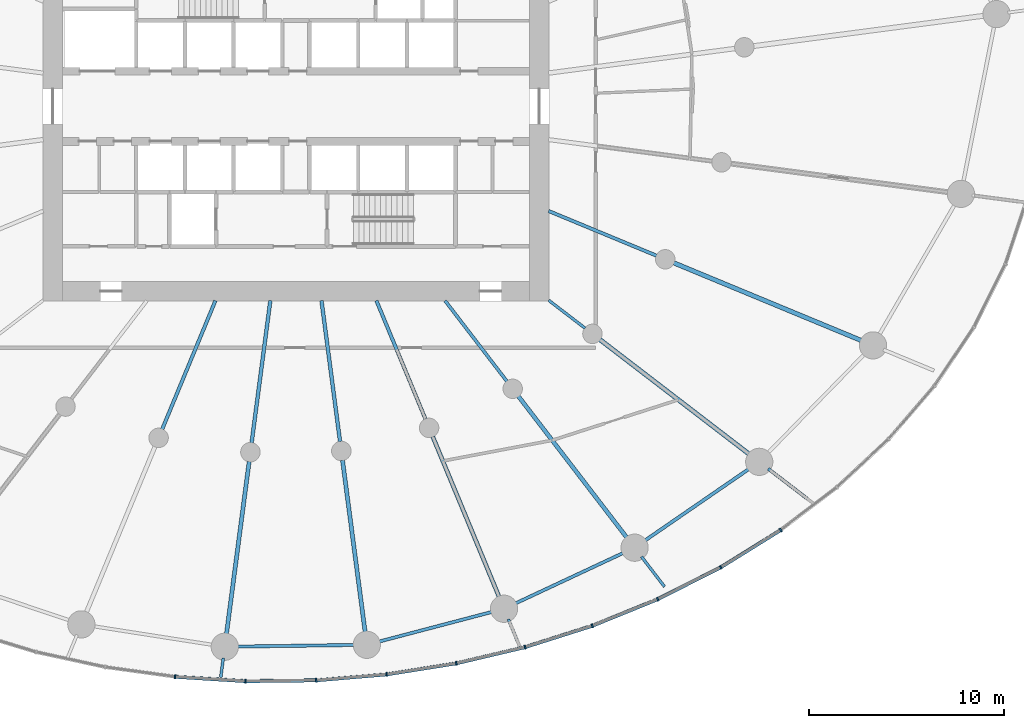
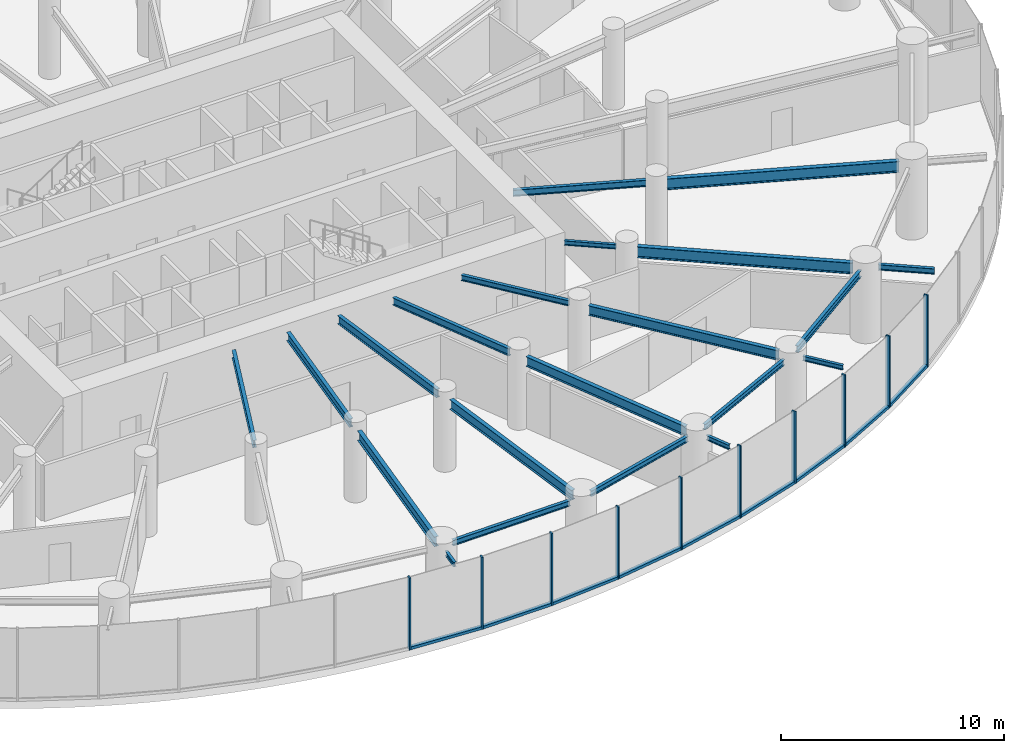
# One storey, part 4 of 19: 21 beams, 19 members, 2 elements without a shape of their own.
"""IFC4 building model written with IfcOpenShell, lengths in metres."""

import ifcopenshell
import ifcopenshell.guid

model = None  # the IFC model being written
_history = None  # IfcOwnerHistory: only IFC2X3 demands one
_inside = {}  # id of a spatial element -> (the spatial element, [elements in it])
_under = {}  # id of a project, library or spatial element -> (it, [spatial elements below it])
_declared = {}  # id of a project -> (the project, [libraries it declares])
_typed = {}  # id of a type object -> (the type object, [elements of that type])
_made_of = {}  # id of a material, layer set ... -> (it, [elements and type objects made of it])


def new_model(schema):
    """Start an empty IFC model of exactly this schema.

    Asked for "IFC4X3", IfcOpenShell would pick the latest addendum, in which some entities
    have other attributes; the version numbers below select the first issue.
    IFC2X3 requires an IfcOwnerHistory on every rooted entity: one is made here for all.
    """
    global model, _history
    if schema == "IFC4X3":
        model = ifcopenshell.file(schema_version=(4, 3, 0, 0))
    else:
        model = ifcopenshell.file(schema=schema)
    _inside.clear()
    _under.clear()
    _declared.clear()
    _typed.clear()
    _made_of.clear()
    _history = None
    if model.schema == "IFC2X3":
        org = make("IfcOrganization", Name="unknown")
        user = make(
            "IfcPersonAndOrganization",
            ThePerson=make("IfcPerson", FamilyName="unknown"),
            TheOrganization=org,
        )
        app = make(
            "IfcApplication",
            ApplicationDeveloper=org,
            Version="unknown",
            ApplicationFullName="unknown",
            ApplicationIdentifier="unknown",
        )
        _history = make(
            "IfcOwnerHistory",
            OwningUser=user,
            OwningApplication=app,
            ChangeAction="ADDED",
            CreationDate=0,
        )
    return model


def make(cls, **values):
    """One entity of the class cls with the attributes given. An attribute that is None is left unset."""
    return model.create_entity(
        cls, **{name: value for name, value in values.items() if value is not None}
    )


def rooted(cls, **values):
    """An entity with a GlobalId (a new one), such as an element, a storey or a relation."""
    return make(cls, GlobalId=ifcopenshell.guid.new(), OwnerHistory=_history, **values)


def si_unit(unit_type, name, prefix=None):
    """IfcSIUnit, for example si_unit("LENGTHUNIT", "METRE", prefix="MILLI")."""
    return make("IfcSIUnit", UnitType=unit_type, Prefix=prefix, Name=name)


def assignment(units):
    """IfcUnitAssignment: the units of a project."""
    return None if units is None else make("IfcUnitAssignment", Units=units)


def point(xyz):
    """IfcCartesianPoint."""
    return None if xyz is None else make("IfcCartesianPoint", Coordinates=xyz)


def direction(xyz):
    """IfcDirection."""
    return None if xyz is None else make("IfcDirection", DirectionRatios=xyz)


def frame(location, z_axis=None, x_axis=None):
    """IfcAxis2Placement3D, a coordinate frame: its origin and axes. An axis left out is left unset."""
    return make(
        "IfcAxis2Placement3D",
        Location=point(location),
        Axis=direction(z_axis),
        RefDirection=direction(x_axis),
    )


def frame_2d(location, x_axis=None):
    """IfcAxis2Placement2D, a coordinate frame in the plane: its origin and x axis."""
    return make(
        "IfcAxis2Placement2D", Location=point(location), RefDirection=direction(x_axis)
    )


def origin():
    """The frame at (0, 0, 0) with its axes left unset."""
    return frame((0.0, 0.0, 0.0))


def origin_2d():
    """The frame at (0, 0) in the plane with its x axis left unset."""
    return frame_2d((0.0, 0.0))


def place(relative_to, where):
    """IfcLocalPlacement: puts the frame where relative to a parent placement (None: the world)."""
    return make(
        "IfcLocalPlacement", PlacementRelTo=relative_to, RelativePlacement=where
    )


def context(
    kind, dimensions, precision=None, world=None, true_north=None, identifier=None
):
    """IfcGeometricRepresentationContext, for example the 3D "Model" context."""
    return make(
        "IfcGeometricRepresentationContext",
        ContextIdentifier=identifier,
        ContextType=kind,
        CoordinateSpaceDimension=dimensions,
        Precision=precision,
        WorldCoordinateSystem=world,
        TrueNorth=true_north,
    )


def subcontext(parent, identifier, kind, view, scale=None):
    """IfcGeometricRepresentationSubContext, for example "Body" below "Model"."""
    return make(
        "IfcGeometricRepresentationSubContext",
        ContextIdentifier=identifier,
        ContextType=kind,
        ParentContext=parent,
        TargetScale=scale,
        TargetView=view,
    )


def project(units=None, contexts=None):
    """IfcProject with its units and contexts."""
    return rooted(
        "IfcProject",
        Name="project",
        RepresentationContexts=contexts,
        UnitsInContext=assignment(units),
    )


def spatial(cls, under=None, at=None, **own):
    """A site, building, storey or space (cls), placed at a placement, below another one or the project."""
    s = rooted(cls, ObjectPlacement=at, **own)
    if under is not None:
        _under.setdefault(under.id(), (under, []))[1].append(s)
    return s


def profile(cls, at=None, kind="AREA", **sizes):
    """A parametric profile (cls). Its sizes go by their IFC names, for example OverallWidth=200.0."""
    return make(cls, ProfileType=kind, Position=at, **sizes)


def rectangle(**sizes):
    """IfcRectangleProfileDef."""
    return profile("IfcRectangleProfileDef", **sizes)


def i_section(**sizes):
    """IfcIShapeProfileDef."""
    return profile("IfcIShapeProfileDef", **sizes)


def extrude(swept, where, along, depth):
    """IfcExtrudedAreaSolid: the profile swept, set in the frame where, extruded along a direction by depth."""
    return make(
        "IfcExtrudedAreaSolid",
        SweptArea=swept,
        Position=where,
        ExtrudedDirection=direction(along),
        Depth=depth,
    )


def shape(context_of_items, identifier, shape_type, items):
    """IfcShapeRepresentation: the items that make up one representation, for example the "Body"."""
    return make(
        "IfcShapeRepresentation",
        ContextOfItems=context_of_items,
        RepresentationIdentifier=identifier,
        RepresentationType=shape_type,
        Items=items,
    )


def source(mapping_origin, context_of_items, identifier, shape_type, items):
    """IfcRepresentationMap: a shape defined once, which mapped items show again and again."""
    return make(
        "IfcRepresentationMap",
        MappingOrigin=mapping_origin,
        MappedRepresentation=shape(context_of_items, identifier, shape_type, items),
    )


def transform(
    local_origin,
    x_axis=None,
    y_axis=None,
    z_axis=None,
    scale=None,
    scale2=None,
    scale3=None,
    uniform=True,
):
    """IfcCartesianTransformationOperator3D, or its non-uniform kind. x_axis, y_axis, z_axis: its Axis1, 2, 3."""
    if uniform:
        return make(
            "IfcCartesianTransformationOperator3D",
            Axis1=direction(x_axis),
            Axis2=direction(y_axis),
            LocalOrigin=point(local_origin),
            Scale=scale,
            Axis3=direction(z_axis),
        )
    return make(
        "IfcCartesianTransformationOperator3DnonUniform",
        Axis1=direction(x_axis),
        Axis2=direction(y_axis),
        LocalOrigin=point(local_origin),
        Scale=scale,
        Axis3=direction(z_axis),
        Scale2=scale2,
        Scale3=scale3,
    )


def mapped(mapping_source, mapping_target):
    """IfcMappedItem: shows the shape of a source again, moved by a transform."""
    return make(
        "IfcMappedItem", MappingSource=mapping_source, MappingTarget=mapping_target
    )


def material(Name=None, Category=None):
    """IfcMaterial."""
    return make("IfcMaterial", Name=Name, Category=Category)


def layer(
    of_material, thickness, ventilated=None, Name=None, Category=None, Priority=None
):
    """IfcMaterialLayer: one layer of a wall or slab, of a material (None: an air gap)."""
    return make(
        "IfcMaterialLayer",
        Material=of_material,
        LayerThickness=thickness,
        IsVentilated=ventilated,
        Name=Name,
        Category=Category,
        Priority=Priority,
    )


def layer_set(layers, Name=None):
    """IfcMaterialLayerSet."""
    return make("IfcMaterialLayerSet", MaterialLayers=layers, LayerSetName=Name)


def material_profile(
    of_material, cross_section, Name=None, Category=None, Priority=None
):
    """IfcMaterialProfile: a cross section and its material."""
    return make(
        "IfcMaterialProfile",
        Name=Name,
        Material=of_material,
        Profile=cross_section,
        Priority=Priority,
        Category=Category,
    )


def profile_set(profiles, Name=None, composite=None):
    """IfcMaterialProfileSet."""
    return make(
        "IfcMaterialProfileSet",
        Name=Name,
        MaterialProfiles=profiles,
        CompositeProfile=composite,
    )


def made_of(thing, what):
    """Note that an element or type object is made of a material, layer set ...; save() writes the relation."""
    if what is not None:
        _made_of.setdefault(what.id(), (what, []))[1].append(thing)
    return thing


def type_object(cls, material=None, **own):
    """A type object (cls), such as IfcWallType, which elements share."""
    return made_of(rooted(cls, **own), material)


def element(
    cls,
    number,
    at=None,
    inside=None,
    cuts=None,
    type_object=None,
    material=None,
    context=None,
    identifier="Body",
    shape_type=None,
    held_by="IfcProductDefinitionShape",
    body=None,
    shapes=None,
    **own,
):
    """One element of the class cls, such as IfcWall. Its Tag is "e" and its number.

    at: its placement. inside: the storey or other place that contains it. cuts: it is an
    opening in that element (IfcRelVoidsElement). A single representation is given by context,
    identifier, shape_type and body (its items); several are given by shapes. held_by: the class
    of the entity that holds the representations. save() writes the other relations.
    """
    e = rooted(cls, Tag="e%d" % number, ObjectPlacement=at, **own)
    if body is not None:
        shapes = [shape(context, identifier, shape_type, body)]
    if shapes is not None:
        e.Representation = make(held_by, Representations=shapes)
    if inside is not None:
        _inside.setdefault(inside.id(), (inside, []))[1].append(e)
    if cuts is not None:
        rooted(
            "IfcRelVoidsElement", RelatingBuildingElement=cuts, RelatedOpeningElement=e
        )
    if type_object is not None:
        _typed.setdefault(type_object.id(), (type_object, []))[1].append(e)
    return made_of(e, material)


def aggregate(whole, parts):
    """IfcRelAggregates: a whole, such as a stair, and the parts it consists of."""
    return rooted("IfcRelAggregates", RelatingObject=whole, RelatedObjects=parts)


def save(model, path):
    """Write the relations noted so far, then the file.

    IfcRelAggregates (storeys below a building ...), IfcRelContainedInSpatialStructure (elements
    in a storey), IfcRelDefinesByType, IfcRelAssociatesMaterial and IfcRelDeclares: one each for
    every whole, place, type object, material and project.
    """
    for whole, parts in _under.values():
        aggregate(whole, parts)
    for where, things in _inside.values():
        rooted(
            "IfcRelContainedInSpatialStructure",
            RelatedElements=things,
            RelatingStructure=where,
        )
    for kind, things in _typed.values():
        rooted("IfcRelDefinesByType", RelatedObjects=things, RelatingType=kind)
    for what, things in _made_of.values():
        rooted("IfcRelAssociatesMaterial", RelatedObjects=things, RelatingMaterial=what)
    for by, libraries in _declared.values():
        rooted("IfcRelDeclares", RelatingContext=by, RelatedDefinitions=libraries)
    model.write(path)


model = new_model("IFC4")

# Units and contexts
model_context = context("Model", 3, precision=1e-05, world=origin(), true_north=direction((0.0, 1.0)))
body_context = subcontext(model_context, "Body", "Model", "MODEL_VIEW")
ifc_project = project(units=[si_unit("LENGTHUNIT", "METRE"), si_unit("AREAUNIT", "SQUARE_METRE"), si_unit("VOLUMEUNIT", "CUBIC_METRE"), si_unit("PLANEANGLEUNIT", "RADIAN"), si_unit("MASSUNIT", "GRAM", prefix="KILO")], contexts=[model_context])

# Site, building, storey
site_placement = place(None, origin())
site = spatial("IfcSite", under=ifc_project, at=site_placement, CompositionType="ELEMENT")
building_placement = place(site_placement, origin())
building = spatial("IfcBuilding", under=site, at=building_placement, Name="Spindrift Exchange Tower", CompositionType="ELEMENT")
storey_placement = place(building_placement, frame((0.0, 0.0, 31.39990234375)))
storey = spatial("IfcBuildingStorey", under=building, at=storey_placement, Name="L07", CompositionType="ELEMENT", Elevation=31.39990234375)

# Beams
ifc_material_1 = material(Name="Steel Grade 300", Category="steel")
ifc_material_profile_1 = material_profile(ifc_material_1, i_section(OverallWidth=0.177978515625, OverallDepth=0.406005859375, WebThickness=0.0078125, FlangeThickness=0.0126953125, FilletRadius=0.013916015625, at=origin_2d()), Name="410UB59.7")
ifc_profile_set_1 = profile_set([ifc_material_profile_1], Name="Steel Grade 300")
beam_type_1 = type_object("IfcBeamType", Name="Floor Beam 410UB59.7 Steel Grade 300", PredefinedType="BEAM", material=ifc_profile_set_1)
shared_shape_1 = source(origin(), body_context, "Body", "SweptSolid", [
    extrude(i_section(OverallWidth=0.177978515625, OverallDepth=0.406005859375, WebThickness=0.0078125, FlangeThickness=0.0126953125, FilletRadius=0.013916015625, at=origin_2d()), origin(), (0.0, 0.0, 1.0), 7.150634765625),
])
beam_1_placement = place(storey_placement, frame((47.865478515625, 38.0185546875, 3.7470703125), z_axis=(-0.382665393358, -0.923887004306, 0.0), x_axis=(0.923887004306, -0.382665393358, 0.0)))
element("IfcBeam", 1, at=beam_1_placement, inside=storey, type_object=beam_type_1, Name="L07 radial beam R17A", PredefinedType="BEAM", context=body_context, shape_type="MappedRepresentation", body=[
    mapped(shared_shape_1, transform((0.0, 0.0, 0.0), scale=1.0)),
])
ifc_material_profile_2 = material_profile(ifc_material_1, i_section(OverallWidth=0.18994140625, OverallDepth=0.45703125, WebThickness=0.009033203125, FlangeThickness=0.014404296875, FilletRadius=0.013916015625, at=origin_2d()), Name="460UB74.6")
ifc_profile_set_2 = profile_set([ifc_material_profile_2], Name="Steel Grade 300")
beam_type_2 = type_object("IfcBeamType", Name="Floor Beam 460UB74.6 Steel Grade 300", PredefinedType="BEAM", material=ifc_profile_set_2)
shared_shape_2 = source(origin(), body_context, "Body", "SweptSolid", [
    extrude(i_section(OverallWidth=0.18994140625, OverallDepth=0.45703125, WebThickness=0.009033203125, FlangeThickness=0.014404296875, FilletRadius=0.013916015625, at=origin_2d()), origin(), (0.0, 0.0, 1.0), 7.374267578125),
])
beam_2_placement = place(storey_placement, frame((50.68603515625, 38.019775390625, 3.7216796875), z_axis=(-0.130539295622, -0.99144313619, 0.0), x_axis=(0.99144313619, -0.130539295622, 0.0)))
element("IfcBeam", 2, at=beam_2_placement, inside=storey, type_object=beam_type_2, Name="L07 radial beam R18A", PredefinedType="BEAM", context=body_context, shape_type="MappedRepresentation", body=[
    mapped(shared_shape_2, transform((0.0, 0.0, 0.0), scale=1.0)),
])
ifc_material_profile_3 = material_profile(ifc_material_1, i_section(OverallWidth=0.208984375, OverallDepth=0.532958984375, WebThickness=0.01025390625, FlangeThickness=0.015625, FilletRadius=0.013916015625, at=origin_2d()), Name="530UB92.4")
ifc_profile_set_3 = profile_set([ifc_material_profile_3], Name="Steel Grade 300")
beam_type_3 = type_object("IfcBeamType", Name="Floor Beam 530UB92.4 Steel Grade 300", PredefinedType="BEAM", material=ifc_profile_set_3)
shared_shape_3 = source(origin(), body_context, "Body", "SweptSolid", [
    extrude(i_section(OverallWidth=0.208984375, OverallDepth=0.532958984375, WebThickness=0.01025390625, FlangeThickness=0.015625, FilletRadius=0.013916015625, at=origin_2d()), origin(), (0.0, 0.0, 1.0), 9.020263671875),
])
beam_3_placement = place(storey_placement, frame((49.59814453125, 29.7568359375, 3.68359375), z_axis=(-0.13051122338, -0.991446831944, 0.0), x_axis=(0.991446831944, -0.13051122338, 0.0)))
element("IfcBeam", 3, at=beam_3_placement, inside=storey, type_object=beam_type_3, Name="L07 radial beam R18B", PredefinedType="BEAM", context=body_context, shape_type="MappedRepresentation", body=[
    mapped(shared_shape_3, transform((0.0, 0.0, 0.0), scale=1.0)),
])
shared_shape_4 = source(origin(), body_context, "Body", "SweptSolid", [
    extrude(i_section(OverallWidth=0.18994140625, OverallDepth=0.45703125, WebThickness=0.009033203125, FlangeThickness=0.014404296875, FilletRadius=0.013916015625, at=origin_2d()), origin(), (0.0, 0.0, 1.0), 7.3095703125),
])
beam_4_placement = place(storey_placement, frame((53.31396484375, 38.019775390625, 3.7216796875), z_axis=(0.130527087244, -0.991444743541, 0.0), x_axis=(0.991444743541, 0.130527087244, 0.0)))
element("IfcBeam", 4, at=beam_4_placement, inside=storey, type_object=beam_type_2, Name="L07 radial beam R19A", PredefinedType="BEAM", context=body_context, shape_type="MappedRepresentation", body=[
    mapped(shared_shape_4, transform((0.0, 0.0, 0.0), scale=1.0)),
])
shared_shape_5 = source(origin(), body_context, "Body", "SweptSolid", [
    extrude(i_section(OverallWidth=0.208984375, OverallDepth=0.532958984375, WebThickness=0.01025390625, FlangeThickness=0.015625, FilletRadius=0.013916015625, at=origin_2d()), origin(), (0.0, 0.0, 1.0), 8.98388671875),
])
beam_5_placement = place(storey_placement, frame((54.393310546875, 29.82080078125, 3.68359375), z_axis=(0.130524106785, -0.991445135924, 0.0), x_axis=(0.991445135924, 0.130524106785, 0.0)))
element("IfcBeam", 5, at=beam_5_placement, inside=storey, type_object=beam_type_3, Name="L07 radial beam R19B", PredefinedType="BEAM", context=body_context, shape_type="MappedRepresentation", body=[
    mapped(shared_shape_5, transform((0.0, 0.0, 0.0), scale=1.0)),
])
shared_shape_6 = source(origin(), body_context, "Body", "SweptSolid", [
    extrude(i_section(OverallWidth=0.177978515625, OverallDepth=0.406005859375, WebThickness=0.0078125, FlangeThickness=0.0126953125, FilletRadius=0.013916015625, at=origin_2d()), origin(), (0.0, 0.0, 1.0), 6.594482421875),
])
beam_6_placement = place(storey_placement, frame((56.134521484375, 38.0185546875, 3.7470703125), z_axis=(0.382692929746, -0.92387559851, 0.0), x_axis=(0.92387559851, 0.382692929746, 0.0)))
element("IfcBeam", 6, at=beam_6_placement, inside=storey, type_object=beam_type_1, Name="L07 radial beam R20A", PredefinedType="BEAM", context=body_context, shape_type="MappedRepresentation", body=[
    mapped(shared_shape_6, transform((0.0, 0.0, 0.0), scale=1.0)),
])
shared_shape_7 = source(origin(), body_context, "Body", "SweptSolid", [
    extrude(i_section(OverallWidth=0.208984375, OverallDepth=0.532958984375, WebThickness=0.01025390625, FlangeThickness=0.015625, FilletRadius=0.013916015625, at=origin_2d()), origin(), (0.0, 0.0, 1.0), 8.99658203125),
])
beam_7_placement = place(storey_placement, frame((59.025390625, 31.0390625, 3.68359375), z_axis=(0.382685731718, -0.923878580085, 0.0), x_axis=(0.923878580085, 0.382685731718, 0.0)))
element("IfcBeam", 7, at=beam_7_placement, inside=storey, type_object=beam_type_3, Name="L07 radial beam R20B", PredefinedType="BEAM", context=body_context, shape_type="MappedRepresentation", body=[
    mapped(shared_shape_7, transform((0.0, 0.0, 0.0), scale=1.0)),
])
ifc_material_profile_4 = material_profile(ifc_material_1, i_section(OverallWidth=0.1650390625, OverallDepth=0.303955078125, WebThickness=0.006103515625, FlangeThickness=0.01025390625, FilletRadius=0.011474609375, at=origin_2d()), Name="310UB40.4")
ifc_profile_set_4 = profile_set([ifc_material_profile_4], Name="Steel Grade 300")
beam_type_4 = type_object("IfcBeamType", Name="Floor Beam 310UB40.4 Steel Grade 300", PredefinedType="BEAM", material=ifc_profile_set_4)
shared_shape_8 = source(origin(), body_context, "Body", "SweptSolid", [
    extrude(i_section(OverallWidth=0.1650390625, OverallDepth=0.303955078125, WebThickness=0.006103515625, FlangeThickness=0.01025390625, FilletRadius=0.011474609375, at=origin_2d()), origin(), (0.0, 0.0, 1.0), 5.224609375),
])
beam_8_placement = place(storey_placement, frame((59.6611328125, 38.015869140625, 3.798095703125), z_axis=(0.608741499316, -0.793368632485, 0.0), x_axis=(0.793368632485, 0.608741499316, 0.0)))
element("IfcBeam", 8, at=beam_8_placement, inside=storey, type_object=beam_type_4, Name="L07 radial beam R21A", PredefinedType="BEAM", context=body_context, shape_type="MappedRepresentation", body=[
    mapped(shared_shape_8, transform((0.0, 0.0, 0.0), scale=1.0)),
])
shared_shape_9 = source(origin(), body_context, "Body", "SweptSolid", [
    extrude(i_section(OverallWidth=0.208984375, OverallDepth=0.532958984375, WebThickness=0.01025390625, FlangeThickness=0.015625, FilletRadius=0.013916015625, at=origin_2d()), origin(), (0.0, 0.0, 1.0), 9.227783203125),
])
beam_9_placement = place(storey_placement, frame((63.426025390625, 33.109375, 3.68359375), z_axis=(0.608747534474, -0.79336400175, 0.0), x_axis=(0.79336400175, 0.608747534474, 0.0)))
element("IfcBeam", 9, at=beam_9_placement, inside=storey, type_object=beam_type_3, Name="L07 radial beam R21B", PredefinedType="BEAM", context=body_context, shape_type="MappedRepresentation", body=[
    mapped(shared_shape_9, transform((0.0, 0.0, 0.0), scale=1.0)),
])
ifc_material_profile_5 = material_profile(ifc_material_1, i_section(OverallWidth=0.14599609375, OverallDepth=0.251953125, WebThickness=0.006103515625, FlangeThickness=0.008544921875, FilletRadius=0.011962890625, at=origin_2d()), Name="250UB31.4")
ifc_profile_set_5 = profile_set([ifc_material_profile_5], Name="Steel Grade 300")
beam_type_5 = type_object("IfcBeamType", Name="Floor Beam 250UB31.4 Steel Grade 300", PredefinedType="BEAM", material=ifc_profile_set_5)
shared_shape_10 = source(origin(), body_context, "Body", "SweptSolid", [
    extrude(i_section(OverallWidth=0.14599609375, OverallDepth=0.251953125, WebThickness=0.006103515625, FlangeThickness=0.008544921875, FilletRadius=0.011962890625, at=origin_2d()), origin(), (0.0, 0.0, 1.0), 2.353759765625),
])
beam_10_placement = place(storey_placement, frame((64.984130859375, 38.036865234375, 3.82421875), z_axis=(0.793367573265, -0.608742879787, 0.0), x_axis=(0.608742879787, 0.793367573265, 0.0)))
element("IfcBeam", 10, at=beam_10_placement, inside=storey, type_object=beam_type_5, Name="L07 radial beam R22A", PredefinedType="BEAM", context=body_context, shape_type="MappedRepresentation", body=[
    mapped(shared_shape_10, transform((0.0, 0.0, 0.0), scale=1.0)),
])
ifc_material_profile_6 = material_profile(ifc_material_1, i_section(OverallWidth=0.22802734375, OverallDepth=0.60693359375, WebThickness=0.01123046875, FlangeThickness=0.017333984375, FilletRadius=0.013916015625, at=origin_2d()), Name="610UB113")
ifc_profile_set_6 = profile_set([ifc_material_profile_6], Name="Steel Grade 300")
beam_type_6 = type_object("IfcBeamType", Name="Floor Beam 610UB113 Steel Grade 300", PredefinedType="BEAM", material=ifc_profile_set_6)
shared_shape_11 = source(origin(), body_context, "Body", "SweptSolid", [
    extrude(i_section(OverallWidth=0.22802734375, OverallDepth=0.60693359375, WebThickness=0.01123046875, FlangeThickness=0.017333984375, FilletRadius=0.013916015625, at=origin_2d()), origin(), (0.0, 0.0, 1.0), 9.73974609375),
])
beam_11_placement = place(storey_placement, frame((67.61328125, 36.01953125, 3.646484375), z_axis=(0.793352119621, -0.608763019814, 0.0), x_axis=(0.608763019814, 0.793352119621, 0.0)))
element("IfcBeam", 11, at=beam_11_placement, inside=storey, type_object=beam_type_6, Name="L07 radial beam R22B", PredefinedType="BEAM", context=body_context, shape_type="MappedRepresentation", body=[
    mapped(shared_shape_11, transform((0.0, 0.0, 0.0), scale=1.0)),
])
ifc_material_profile_7 = material_profile(ifc_material_1, i_section(OverallWidth=0.172119140625, OverallDepth=0.35888671875, WebThickness=0.008056640625, FlangeThickness=0.012939453125, FilletRadius=0.013916015625, at=origin_2d()), Name="360UB56.7")
ifc_profile_set_7 = profile_set([ifc_material_profile_7], Name="Steel Grade 300")
beam_type_7 = type_object("IfcBeamType", Name="Floor Beam 360UB56.7 Steel Grade 300", PredefinedType="BEAM", material=ifc_profile_set_7)
shared_shape_12 = source(origin(), body_context, "Body", "SweptSolid", [
    extrude(i_section(OverallWidth=0.172119140625, OverallDepth=0.35888671875, WebThickness=0.008056640625, FlangeThickness=0.012939453125, FilletRadius=0.013916015625, at=origin_2d()), origin(), (0.0, 0.0, 1.0), 6.004638671875),
])
beam_12_placement = place(storey_placement, frame((64.9814453125, 42.622802734375, 3.7705078125), z_axis=(0.923882044911, -0.38267736684, 0.0), x_axis=(0.38267736684, 0.923882044911, 0.0)))
element("IfcBeam", 12, at=beam_12_placement, inside=storey, type_object=beam_type_7, Name="L07 radial beam R23A", PredefinedType="BEAM", context=body_context, shape_type="MappedRepresentation", body=[
    mapped(shared_shape_12, transform((0.0, 0.0, 0.0), scale=1.0)),
])
shared_shape_13 = source(origin(), body_context, "Body", "SweptSolid", [
    extrude(i_section(OverallWidth=0.22802734375, OverallDepth=0.60693359375, WebThickness=0.01123046875, FlangeThickness=0.017333984375, FilletRadius=0.013916015625, at=origin_2d()), origin(), (0.0, 0.0, 1.0), 10.4912109375),
])
beam_13_placement = place(storey_placement, frame((71.416015625, 39.95751953125, 3.646484375), z_axis=(0.923885231151, -0.382669674342, 0.0), x_axis=(0.382669674342, 0.923885231151, 0.0)))
element("IfcBeam", 13, at=beam_13_placement, inside=storey, type_object=beam_type_6, Name="L07 radial beam R23B", PredefinedType="BEAM", context=body_context, shape_type="MappedRepresentation", body=[
    mapped(shared_shape_13, transform((0.0, 0.0, 0.0), scale=1.0)),
])
ifc_material_profile_8 = material_profile(ifc_material_1, i_section(OverallWidth=0.1650390625, OverallDepth=0.303955078125, WebThickness=0.006103515625, FlangeThickness=0.01025390625, FilletRadius=0.011474609375, at=origin_2d()), Name="310UB40.4")
ifc_profile_set_8 = profile_set([ifc_material_profile_8], Name="Steel Grade 300")
beam_type_8 = type_object("IfcBeamType", Name="Edge Beam 310UB40.4 Steel Grade 300", PredefinedType="SPANDREL", material=ifc_profile_set_8)
shared_shape_14 = source(origin(), body_context, "Body", "SweptSolid", [
    extrude(i_section(OverallWidth=0.1650390625, OverallDepth=0.303955078125, WebThickness=0.006103515625, FlangeThickness=0.01025390625, FilletRadius=0.011474609375, at=origin_2d()), origin(), (0.0, 0.0, 1.0), 6.13720703125),
])
beam_14_placement = place(storey_placement, frame((48.925048828125, 20.24658203125, 3.798095703125), z_axis=(0.999905820907, 0.013724041543, 0.0), x_axis=(-0.013724041543, 0.999905820907, 0.0)))
element("IfcBeam", 14, at=beam_14_placement, inside=storey, type_object=beam_type_8, Name="L07 edge beam E18", PredefinedType="SPANDREL", context=body_context, shape_type="MappedRepresentation", body=[
    mapped(shared_shape_14, transform((0.0, 0.0, 0.0), scale=1.0)),
])
shared_shape_15 = source(origin(), body_context, "Body", "SweptSolid", [
    extrude(i_section(OverallWidth=0.1650390625, OverallDepth=0.303955078125, WebThickness=0.006103515625, FlangeThickness=0.01025390625, FilletRadius=0.011474609375, at=origin_2d()), origin(), (0.0, 0.0, 1.0), 6.128173828125),
])
beam_15_placement = place(storey_placement, frame((56.20263671875, 20.486083984375, 3.798095703125), z_axis=(0.967147261855, 0.254216785216, 0.0), x_axis=(-0.254216785216, 0.967147261855, 0.0)))
element("IfcBeam", 15, at=beam_15_placement, inside=storey, type_object=beam_type_8, Name="L07 edge beam E19", PredefinedType="SPANDREL", context=body_context, shape_type="MappedRepresentation", body=[
    mapped(shared_shape_15, transform((0.0, 0.0, 0.0), scale=1.0)),
])
shared_shape_16 = source(origin(), body_context, "Body", "SweptSolid", [
    extrude(i_section(OverallWidth=0.1650390625, OverallDepth=0.303955078125, WebThickness=0.006103515625, FlangeThickness=0.01025390625, FilletRadius=0.011474609375, at=origin_2d()), origin(), (0.0, 0.0, 1.0), 6.243408203125),
])
beam_16_placement = place(storey_placement, frame((63.2158203125, 22.43701171875, 3.798095703125), z_axis=(0.905791146607, 0.423724437257, 0.0), x_axis=(-0.423724437257, 0.905791146607, 0.0)))
element("IfcBeam", 16, at=beam_16_placement, inside=storey, type_object=beam_type_8, Name="L07 edge beam E20", PredefinedType="SPANDREL", context=body_context, shape_type="MappedRepresentation", body=[
    mapped(shared_shape_16, transform((0.0, 0.0, 0.0), scale=1.0)),
])
ifc_material_profile_9 = material_profile(ifc_material_1, i_section(OverallWidth=0.172119140625, OverallDepth=0.35888671875, WebThickness=0.008056640625, FlangeThickness=0.012939453125, FilletRadius=0.013916015625, at=origin_2d()), Name="360UB56.7")
ifc_profile_set_9 = profile_set([ifc_material_profile_9], Name="Steel Grade 300")
beam_type_9 = type_object("IfcBeamType", Name="Edge Beam 360UB56.7 Steel Grade 300", PredefinedType="SPANDREL", material=ifc_profile_set_9)
shared_shape_17 = source(origin(), body_context, "Body", "SweptSolid", [
    extrude(i_section(OverallWidth=0.172119140625, OverallDepth=0.35888671875, WebThickness=0.008056640625, FlangeThickness=0.012939453125, FilletRadius=0.013916015625, at=origin_2d()), origin(), (0.0, 0.0, 1.0), 6.614990234375),
])
beam_17_placement = place(storey_placement, frame((69.874267578125, 25.6572265625, 3.7705078125), z_axis=(0.823690708835, 0.567039342708, 0.0), x_axis=(-0.567039342708, 0.823690708835, 0.0)))
element("IfcBeam", 17, at=beam_17_placement, inside=storey, type_object=beam_type_9, Name="L07 edge beam E21", PredefinedType="SPANDREL", context=body_context, shape_type="MappedRepresentation", body=[
    mapped(shared_shape_17, transform((0.0, 0.0, 0.0), scale=1.0)),
])
ifc_material_profile_10 = material_profile(ifc_material_1, i_section(OverallWidth=0.14599609375, OverallDepth=0.251953125, WebThickness=0.006103515625, FlangeThickness=0.008544921875, FilletRadius=0.011962890625, at=origin_2d()), Name="250UB31.4")
ifc_profile_set_10 = profile_set([ifc_material_profile_10], Name="Steel Grade 300")
beam_type_10 = type_object("IfcBeamType", Name="Cantilever Beam 250UB31.4 Steel Grade 300", PredefinedType="BEAM", material=ifc_profile_set_10)
shared_shape_18 = source(origin(), body_context, "Body", "SweptSolid", [
    extrude(i_section(OverallWidth=0.14599609375, OverallDepth=0.251953125, WebThickness=0.006103515625, FlangeThickness=0.008544921875, FilletRadius=0.011962890625, at=origin_2d()), origin(), (0.0, 0.0, 1.0), 1.005615234375),
])
beam_18_placement = place(storey_placement, frame((48.269287109375, 19.66357421875, 3.82421875), z_axis=(-0.130366593235, -0.991465859911, 0.0), x_axis=(0.991465859911, -0.130366593235, 0.0)))
element("IfcBeam", 18, at=beam_18_placement, inside=storey, type_object=beam_type_10, Name="L07 cantilever beam R18T", PredefinedType="BEAM", context=body_context, shape_type="MappedRepresentation", body=[
    mapped(shared_shape_18, transform((0.0, 0.0, 0.0), scale=1.0)),
])
shared_shape_19 = source(origin(), body_context, "Body", "SweptSolid", [
    extrude(i_section(OverallWidth=0.14599609375, OverallDepth=0.251953125, WebThickness=0.006103515625, FlangeThickness=0.008544921875, FilletRadius=0.011962890625, at=origin_2d()), origin(), (0.0, 0.0, 1.0), 1.27294921875),
])
beam_19_placement = place(storey_placement, frame((62.912109375, 21.655517578125, 3.82421875), z_axis=(0.382803464706, -0.923829804352, 0.0), x_axis=(0.923829804352, 0.382803464706, 0.0)))
element("IfcBeam", 19, at=beam_19_placement, inside=storey, type_object=beam_type_10, Name="L07 cantilever beam R20T", PredefinedType="BEAM", context=body_context, shape_type="MappedRepresentation", body=[
    mapped(shared_shape_19, transform((0.0, 0.0, 0.0), scale=1.0)),
])
shared_shape_20 = source(origin(), body_context, "Body", "SweptSolid", [
    extrude(i_section(OverallWidth=0.14599609375, OverallDepth=0.251953125, WebThickness=0.006103515625, FlangeThickness=0.008544921875, FilletRadius=0.011962890625, at=origin_2d()), origin(), (0.0, 0.0, 1.0), 1.946044921875),
])
beam_20_placement = place(storey_placement, frame((69.749755859375, 24.8681640625, 3.82421875), z_axis=(0.608715955057, -0.793388231611, 0.0), x_axis=(0.793388231611, 0.608715955057, 0.0)))
element("IfcBeam", 20, at=beam_20_placement, inside=storey, type_object=beam_type_10, Name="L07 cantilever beam R21T", PredefinedType="BEAM", context=body_context, shape_type="MappedRepresentation", body=[
    mapped(shared_shape_20, transform((0.0, 0.0, 0.0), scale=1.0)),
])
ifc_material_profile_11 = material_profile(ifc_material_1, i_section(OverallWidth=0.1650390625, OverallDepth=0.303955078125, WebThickness=0.006103515625, FlangeThickness=0.01025390625, FilletRadius=0.011474609375, at=origin_2d()), Name="310UB40.4")
ifc_profile_set_11 = profile_set([ifc_material_profile_11], Name="Steel Grade 300")
beam_type_11 = type_object("IfcBeamType", Name="Cantilever Beam 310UB40.4 Steel Grade 300", PredefinedType="BEAM", material=ifc_profile_set_11)
shared_shape_21 = source(origin(), body_context, "Body", "SweptSolid", [
    extrude(i_section(OverallWidth=0.1650390625, OverallDepth=0.303955078125, WebThickness=0.006103515625, FlangeThickness=0.01025390625, FilletRadius=0.011474609375, at=origin_2d()), origin(), (0.0, 0.0, 1.0), 2.533447265625),
])
beam_21_placement = place(storey_placement, frame((76.2607421875, 29.384033203125, 3.798095703125), z_axis=(0.793372100086, -0.608736979988, 0.0), x_axis=(0.608736979988, 0.793372100086, 0.0)))
element("IfcBeam", 21, at=beam_21_placement, inside=storey, type_object=beam_type_11, Name="L07 cantilever beam R22T", PredefinedType="BEAM", context=body_context, shape_type="MappedRepresentation", body=[
    mapped(shared_shape_21, transform((0.0, 0.0, 0.0), scale=1.0)),
])

# Curtain wall, members
ifc_material_2 = material(Name="Fritted laminated glass with bronze frame", Category="glass")
ifc_layer = layer(ifc_material_2, 0.199951171875)
ifc_layer_set = layer_set([ifc_layer], Name="ZONE 1 BRONZE FRITTED WALL")
curtain_wall_type = type_object("IfcCurtainWallType", Name="ZONE 1 BRONZE FRITTED WALL", PredefinedType="NOTDEFINED", material=ifc_layer_set)
curtain_wall_1_placement = place(storey_placement, origin())
curtain_wall_1 = element("IfcCurtainWall", 22, at=curtain_wall_1_placement, inside=storey, type_object=curtain_wall_type, Name="L07 Zone 1 Bronze Fritted Wall run 8", PredefinedType="NOTDEFINED")
ifc_material_3 = material(Name="Bronze anodised aluminium", Category="aluminium")
ifc_material_profile_12 = material_profile(ifc_material_3, rectangle(XDim=0.179931640625, YDim=0.14990234375, at=origin_2d()), Name="ZONE 1 BRONZE FRITTED WALL TRANSOM 180X150")
ifc_profile_set_12 = profile_set([ifc_material_profile_12], Name="Bronze anodised aluminium")
member_type_1 = type_object("IfcMemberType", Name="ZONE 1 BRONZE FRITTED WALL TRANSOM 180X150", PredefinedType="USERDEFINED", material=ifc_profile_set_12)
shared_shape_22 = source(origin(), body_context, "Body", "SweptSolid", [
    extrude(rectangle(XDim=0.179931640625, YDim=0.14990234375, at=origin_2d()), origin(), (0.0, 0.0, 1.0), 3.54736328125),
])
member_1_placement = place(storey_placement, frame((45.833740234375, 18.694091796875, 0.0751953125), z_axis=(0.998071278983, -0.062078354271, 0.0), x_axis=(0.062078354271, 0.998071278983, 0.0)))
member_1 = element("IfcMember", 23, at=member_1_placement, type_object=member_type_1, Name="L07 transom CW-1.43", ObjectType="TRANSOM", PredefinedType="USERDEFINED", context=body_context, shape_type="MappedRepresentation", body=[
    mapped(shared_shape_22, transform((0.0, 0.0, 0.0), scale=1.0)),
])
member_2_placement = place(storey_placement, frame((56.6953125, 18.82421875, 0.0751953125), z_axis=(0.987656154495, 0.156637544954, 0.0), x_axis=(-0.156637544954, 0.987656154495, 0.0)))
member_2 = element("IfcMember", 24, at=member_2_placement, type_object=member_type_1, Name="L07 transom CW-1.46", ObjectType="TRANSOM", PredefinedType="USERDEFINED", context=body_context, shape_type="MappedRepresentation", body=[
    mapped(shared_shape_22, transform((0.0, 0.0, 0.0), scale=1.0)),
])
member_3_placement = place(storey_placement, frame((60.27734375, 19.395263671875, 0.0751953125), z_axis=(0.973336779579, 0.22938071741, 0.0), x_axis=(-0.22938071741, 0.973336779579, 0.0)))
member_3 = element("IfcMember", 25, at=member_3_placement, type_object=member_type_1, Name="L07 transom CW-1.47", ObjectType="TRANSOM", PredefinedType="USERDEFINED", context=body_context, shape_type="MappedRepresentation", body=[
    mapped(shared_shape_22, transform((0.0, 0.0, 0.0), scale=1.0)),
])
member_4_placement = place(storey_placement, frame((63.807373046875, 20.230224609375, 0.0751953125), z_axis=(0.953154193142, 0.302484849365, 0.0), x_axis=(-0.302484849365, 0.953154193142, 0.0)))
member_4 = element("IfcMember", 26, at=member_4_placement, type_object=member_type_1, Name="L07 transom CW-1.48", ObjectType="TRANSOM", PredefinedType="USERDEFINED", context=body_context, shape_type="MappedRepresentation", body=[
    mapped(shared_shape_22, transform((0.0, 0.0, 0.0), scale=1.0)),
])
shared_shape_23 = source(origin(), body_context, "Body", "SweptSolid", [
    extrude(rectangle(XDim=0.179931640625, YDim=0.14990234375, at=origin_2d()), origin(), (0.0, 0.0, 1.0), 3.547119140625),
])
member_5_placement = place(storey_placement, frame((53.081298828125, 18.51611328125, 0.0751953125), z_axis=(0.996456908473, 0.084104872369, 0.0), x_axis=(-0.084104872369, 0.996456908473, 0.0)))
member_5 = element("IfcMember", 27, at=member_5_placement, type_object=member_type_1, Name="L07 transom CW-1.45", ObjectType="TRANSOM", PredefinedType="USERDEFINED", context=body_context, shape_type="MappedRepresentation", body=[
    mapped(shared_shape_23, transform((0.0, 0.0, 0.0), scale=1.0)),
])

curtain_wall_2_placement = place(storey_placement, origin())
curtain_wall_2 = element("IfcCurtainWall", 28, at=curtain_wall_2_placement, inside=storey, type_object=curtain_wall_type, Name="L07 Zone 1 Bronze Fritted Wall run 9", PredefinedType="NOTDEFINED")
member_6_placement = place(storey_placement, frame((67.263671875, 21.33056640625, 0.0751953125), z_axis=(0.926421569957, 0.376487814834, 0.0), x_axis=(-0.376487814834, 0.926421569957, 0.0)))
member_6 = element("IfcMember", 29, at=member_6_placement, type_object=member_type_1, Name="L07 transom CW-1.49", ObjectType="TRANSOM", PredefinedType="USERDEFINED", context=body_context, shape_type="MappedRepresentation", body=[
    mapped(shared_shape_23, transform((0.0, 0.0, 0.0), scale=1.0)),
])
member_7_placement = place(storey_placement, frame((70.62255859375, 22.69921875, 0.0751953125), z_axis=(0.892269486369, 0.451503226672, 0.0), x_axis=(-0.451503226672, 0.892269486369, 0.0)))
member_7 = element("IfcMember", 30, at=member_7_placement, type_object=member_type_1, Name="L07 transom CW-1.50", ObjectType="TRANSOM", PredefinedType="USERDEFINED", context=body_context, shape_type="MappedRepresentation", body=[
    mapped(shared_shape_23, transform((0.0, 0.0, 0.0), scale=1.0)),
])
member_8_placement = place(storey_placement, frame((73.857177734375, 24.33984375, 0.0751953125), z_axis=(0.849522106461, 0.527553021633, 0.0), x_axis=(-0.527553021633, 0.849522106461, 0.0)))
member_8 = element("IfcMember", 31, at=member_8_placement, type_object=member_type_1, Name="L07 transom CW-1.51", ObjectType="TRANSOM", PredefinedType="USERDEFINED", context=body_context, shape_type="MappedRepresentation", body=[
    mapped(shared_shape_23, transform((0.0, 0.0, 0.0), scale=1.0)),
])

# Member
shared_shape_24 = source(origin(), body_context, "Body", "SweptSolid", [
    extrude(rectangle(XDim=0.179931640625, YDim=0.14990234375, at=origin_2d()), origin(), (0.0, 0.0, 1.0), 3.547607421875),
])
member_9_placement = place(storey_placement, frame((49.4541015625, 18.471923828125, 0.0751953125), z_axis=(0.999935528962, 0.011355083433, 0.0), x_axis=(-0.011355083433, 0.999935528962, 0.0)))
member_9 = element("IfcMember", 32, at=member_9_placement, type_object=member_type_1, Name="L07 transom CW-1.44", ObjectType="TRANSOM", PredefinedType="USERDEFINED", context=body_context, shape_type="MappedRepresentation", body=[
    mapped(shared_shape_24, transform((0.0, 0.0, 0.0), scale=1.0)),
])

ifc_material_profile_13 = material_profile(ifc_material_3, rectangle(XDim=0.080078125, YDim=0.199951171875, at=origin_2d()), Name="ZONE 1 BRONZE FRITTED WALL MULLION 80X200")
ifc_profile_set_13 = profile_set([ifc_material_profile_13], Name="Bronze anodised aluminium")
member_type_2 = type_object("IfcMemberType", Name="ZONE 1 BRONZE FRITTED WALL MULLION 80X200", PredefinedType="MULLION", material=ifc_profile_set_13)
shared_shape_25 = source(origin(), body_context, "Body", "SweptSolid", [
    extrude(rectangle(XDim=0.080078125, YDim=0.199951171875, at=origin_2d()), origin(), (0.0, 0.0, 1.0), 3.9501953125),
])
member_10_placement = place(storey_placement, frame((45.793701171875, 18.696533203125, 0.0), z_axis=(0.0, 0.0, 1.0), x_axis=(0.995050369644, -0.099371836407, 0.0)))
member_10 = element("IfcMember", 33, at=member_10_placement, type_object=member_type_2, Name="L07 mullion CW-1.43", PredefinedType="MULLION", context=body_context, shape_type="MappedRepresentation", body=[
    mapped(shared_shape_25, transform((0.0, 0.0, 0.0), scale=1.0)),
])

member_11_placement = place(storey_placement, frame((49.414306640625, 18.471435546875, 0.0), z_axis=(0.0, 0.0, 1.0), x_axis=(0.999678581548, -0.02535219111, 0.0)))
member_11 = element("IfcMember", 34, at=member_11_placement, type_object=member_type_2, Name="L07 mullion CW-1.44", PredefinedType="MULLION", context=body_context, shape_type="MappedRepresentation", body=[
    mapped(shared_shape_25, transform((0.0, 0.0, 0.0), scale=1.0)),
])

member_12_placement = place(storey_placement, frame((53.04150390625, 18.5126953125, 0.0), z_axis=(0.0, 0.0, 1.0), x_axis=(0.998857234459, 0.047793568276, 0.0)))
member_12 = element("IfcMember", 35, at=member_12_placement, type_object=member_type_2, Name="L07 mullion CW-1.45", PredefinedType="MULLION", context=body_context, shape_type="MappedRepresentation", body=[
    mapped(shared_shape_25, transform((0.0, 0.0, 0.0), scale=1.0)),
])

member_13_placement = place(storey_placement, frame((56.656005859375, 18.81787109375, 0.0), z_axis=(0.0, 0.0, 1.0), x_axis=(0.992715265376, 0.120484031677, 0.0)))
member_13 = element("IfcMember", 36, at=member_13_placement, type_object=member_type_2, Name="L07 mullion CW-1.46", PredefinedType="MULLION", context=body_context, shape_type="MappedRepresentation", body=[
    mapped(shared_shape_25, transform((0.0, 0.0, 0.0), scale=1.0)),
])

member_14_placement = place(storey_placement, frame((60.238525390625, 19.38623046875, 0.0), z_axis=(0.0, 0.0, 1.0), x_axis=(0.981171911522, 0.193136428571, 0.0)))
member_14 = element("IfcMember", 37, at=member_14_placement, type_object=member_type_2, Name="L07 mullion CW-1.47", PredefinedType="MULLION", context=body_context, shape_type="MappedRepresentation", body=[
    mapped(shared_shape_25, transform((0.0, 0.0, 0.0), scale=1.0)),
])

member_15_placement = place(storey_placement, frame((63.769287109375, 20.218017578125, 0.0), z_axis=(0.0, 0.0, 1.0), x_axis=(0.963941345221, 0.266114792849, 0.0)))
member_15 = element("IfcMember", 38, at=member_15_placement, type_object=member_type_2, Name="L07 mullion CW-1.48", PredefinedType="MULLION", context=body_context, shape_type="MappedRepresentation", body=[
    mapped(shared_shape_25, transform((0.0, 0.0, 0.0), scale=1.0)),
])

aggregate(curtain_wall_1, [member_10, member_1, member_11, member_9, member_12, member_5, member_13, member_2, member_14, member_3, member_15, member_4])

member_16_placement = place(storey_placement, frame((67.2265625, 21.3154296875, 0.0), z_axis=(0.0, 0.0, 1.0), x_axis=(0.940507259841, 0.339773592539, 0.0)))
member_16 = element("IfcMember", 39, at=member_16_placement, type_object=member_type_2, Name="L07 mullion CW-1.49", PredefinedType="MULLION", context=body_context, shape_type="MappedRepresentation", body=[
    mapped(shared_shape_25, transform((0.0, 0.0, 0.0), scale=1.0)),
])

member_17_placement = place(storey_placement, frame((70.5869140625, 22.68115234375, 0.0), z_axis=(0.0, 0.0, 1.0), x_axis=(0.910111505442, 0.414363424619, 0.0)))
member_17 = element("IfcMember", 40, at=member_17_placement, type_object=member_type_2, Name="L07 mullion CW-1.50", PredefinedType="MULLION", context=body_context, shape_type="MappedRepresentation", body=[
    mapped(shared_shape_25, transform((0.0, 0.0, 0.0), scale=1.0)),
])

member_18_placement = place(storey_placement, frame((73.8232421875, 24.31884765625, 0.0), z_axis=(0.0, 0.0, 1.0), x_axis=(0.871725254404, 0.489994980417, 0.0)))
member_18 = element("IfcMember", 41, at=member_18_placement, type_object=member_type_2, Name="L07 mullion CW-1.51", PredefinedType="MULLION", context=body_context, shape_type="MappedRepresentation", body=[
    mapped(shared_shape_25, transform((0.0, 0.0, 0.0), scale=1.0)),
])

member_19_placement = place(storey_placement, frame((76.904541015625, 26.232177734375, 0.0), z_axis=(0.0, 0.0, 1.0), x_axis=(0.823984590057, 0.566612208965, 0.0)))
member_19 = element("IfcMember", 42, at=member_19_placement, type_object=member_type_2, Name="L07 mullion CW-1.52", PredefinedType="MULLION", context=body_context, shape_type="MappedRepresentation", body=[
    mapped(shared_shape_25, transform((0.0, 0.0, 0.0), scale=1.0)),
])

aggregate(curtain_wall_2, [member_16, member_6, member_17, member_7, member_18, member_8, member_19])

save(model, "model.ifc")
